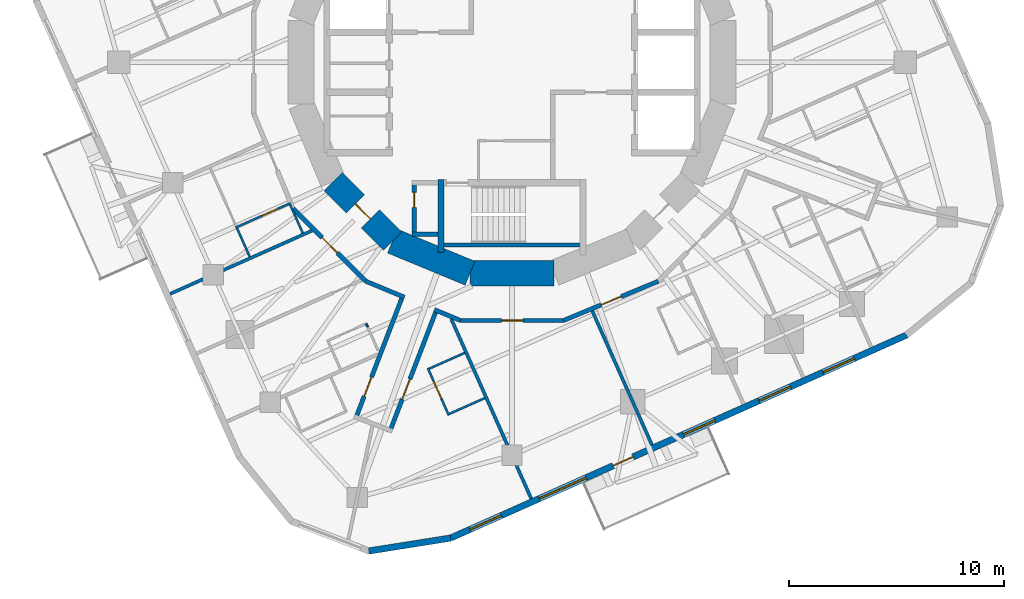
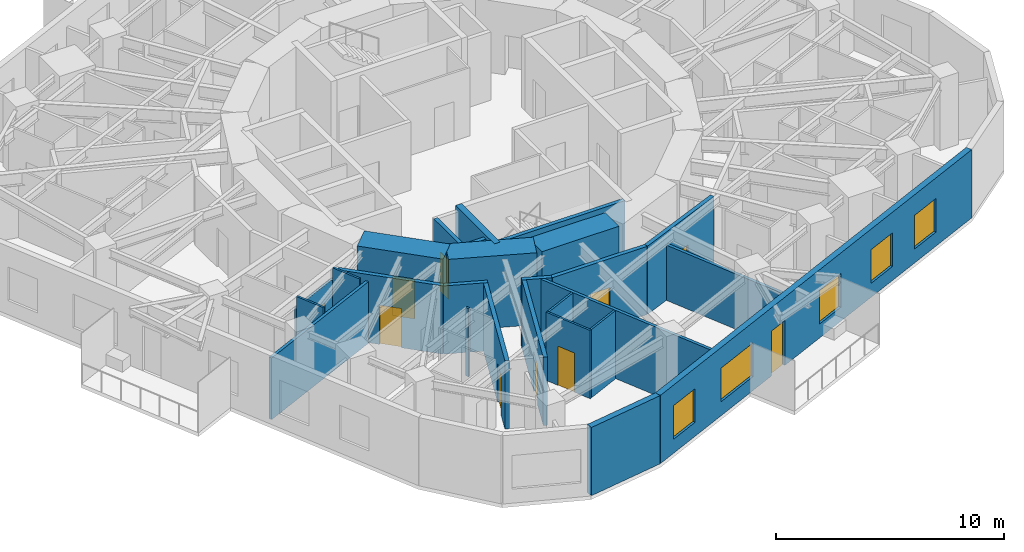
# One storey, part 5 of 12: 26 walls, 10 doors, 5 windows, 15 openings.
"""IFC4 building model written with IfcOpenShell, lengths in metres."""

import ifcopenshell
import ifcopenshell.guid

model = None  # the IFC model being written
_history = None  # IfcOwnerHistory: only IFC2X3 demands one
_inside = {}  # id of a spatial element -> (the spatial element, [elements in it])
_under = {}  # id of a project, library or spatial element -> (it, [spatial elements below it])
_declared = {}  # id of a project -> (the project, [libraries it declares])
_typed = {}  # id of a type object -> (the type object, [elements of that type])
_made_of = {}  # id of a material, layer set ... -> (it, [elements and type objects made of it])


def new_model(schema):
    """Start an empty IFC model of exactly this schema.

    Asked for "IFC4X3", IfcOpenShell would pick the latest addendum, in which some entities
    have other attributes; the version numbers below select the first issue.
    IFC2X3 requires an IfcOwnerHistory on every rooted entity: one is made here for all.
    """
    global model, _history
    if schema == "IFC4X3":
        model = ifcopenshell.file(schema_version=(4, 3, 0, 0))
    else:
        model = ifcopenshell.file(schema=schema)
    _inside.clear()
    _under.clear()
    _declared.clear()
    _typed.clear()
    _made_of.clear()
    _history = None
    if model.schema == "IFC2X3":
        org = make("IfcOrganization", Name="unknown")
        user = make(
            "IfcPersonAndOrganization",
            ThePerson=make("IfcPerson", FamilyName="unknown"),
            TheOrganization=org,
        )
        app = make(
            "IfcApplication",
            ApplicationDeveloper=org,
            Version="unknown",
            ApplicationFullName="unknown",
            ApplicationIdentifier="unknown",
        )
        _history = make(
            "IfcOwnerHistory",
            OwningUser=user,
            OwningApplication=app,
            ChangeAction="ADDED",
            CreationDate=0,
        )
    return model


def make(cls, **values):
    """One entity of the class cls with the attributes given. An attribute that is None is left unset."""
    return model.create_entity(
        cls, **{name: value for name, value in values.items() if value is not None}
    )


def rooted(cls, **values):
    """An entity with a GlobalId (a new one), such as an element, a storey or a relation."""
    return make(cls, GlobalId=ifcopenshell.guid.new(), OwnerHistory=_history, **values)


def si_unit(unit_type, name, prefix=None):
    """IfcSIUnit, for example si_unit("LENGTHUNIT", "METRE", prefix="MILLI")."""
    return make("IfcSIUnit", UnitType=unit_type, Prefix=prefix, Name=name)


def assignment(units):
    """IfcUnitAssignment: the units of a project."""
    return None if units is None else make("IfcUnitAssignment", Units=units)


def point(xyz):
    """IfcCartesianPoint."""
    return None if xyz is None else make("IfcCartesianPoint", Coordinates=xyz)


def direction(xyz):
    """IfcDirection."""
    return None if xyz is None else make("IfcDirection", DirectionRatios=xyz)


def frame(location, z_axis=None, x_axis=None):
    """IfcAxis2Placement3D, a coordinate frame: its origin and axes. An axis left out is left unset."""
    return make(
        "IfcAxis2Placement3D",
        Location=point(location),
        Axis=direction(z_axis),
        RefDirection=direction(x_axis),
    )


def frame_2d(location, x_axis=None):
    """IfcAxis2Placement2D, a coordinate frame in the plane: its origin and x axis."""
    return make(
        "IfcAxis2Placement2D", Location=point(location), RefDirection=direction(x_axis)
    )


def origin():
    """The frame at (0, 0, 0) with its axes left unset."""
    return frame((0.0, 0.0, 0.0))


def place(relative_to, where):
    """IfcLocalPlacement: puts the frame where relative to a parent placement (None: the world)."""
    return make(
        "IfcLocalPlacement", PlacementRelTo=relative_to, RelativePlacement=where
    )


def context(
    kind, dimensions, precision=None, world=None, true_north=None, identifier=None
):
    """IfcGeometricRepresentationContext, for example the 3D "Model" context."""
    return make(
        "IfcGeometricRepresentationContext",
        ContextIdentifier=identifier,
        ContextType=kind,
        CoordinateSpaceDimension=dimensions,
        Precision=precision,
        WorldCoordinateSystem=world,
        TrueNorth=true_north,
    )


def subcontext(parent, identifier, kind, view, scale=None):
    """IfcGeometricRepresentationSubContext, for example "Body" below "Model"."""
    return make(
        "IfcGeometricRepresentationSubContext",
        ContextIdentifier=identifier,
        ContextType=kind,
        ParentContext=parent,
        TargetScale=scale,
        TargetView=view,
    )


def project(units=None, contexts=None):
    """IfcProject with its units and contexts."""
    return rooted(
        "IfcProject",
        Name="project",
        RepresentationContexts=contexts,
        UnitsInContext=assignment(units),
    )


def spatial(cls, under=None, at=None, **own):
    """A site, building, storey or space (cls), placed at a placement, below another one or the project."""
    s = rooted(cls, ObjectPlacement=at, **own)
    if under is not None:
        _under.setdefault(under.id(), (under, []))[1].append(s)
    return s


def profile(cls, at=None, kind="AREA", **sizes):
    """A parametric profile (cls). Its sizes go by their IFC names, for example OverallWidth=200.0."""
    return make(cls, ProfileType=kind, Position=at, **sizes)


def rectangle(**sizes):
    """IfcRectangleProfileDef."""
    return profile("IfcRectangleProfileDef", **sizes)


def extrude(swept, where, along, depth):
    """IfcExtrudedAreaSolid: the profile swept, set in the frame where, extruded along a direction by depth."""
    return make(
        "IfcExtrudedAreaSolid",
        SweptArea=swept,
        Position=where,
        ExtrudedDirection=direction(along),
        Depth=depth,
    )


def shape(context_of_items, identifier, shape_type, items):
    """IfcShapeRepresentation: the items that make up one representation, for example the "Body"."""
    return make(
        "IfcShapeRepresentation",
        ContextOfItems=context_of_items,
        RepresentationIdentifier=identifier,
        RepresentationType=shape_type,
        Items=items,
    )


def material(Name=None, Category=None):
    """IfcMaterial."""
    return make("IfcMaterial", Name=Name, Category=Category)


def layer(
    of_material, thickness, ventilated=None, Name=None, Category=None, Priority=None
):
    """IfcMaterialLayer: one layer of a wall or slab, of a material (None: an air gap)."""
    return make(
        "IfcMaterialLayer",
        Material=of_material,
        LayerThickness=thickness,
        IsVentilated=ventilated,
        Name=Name,
        Category=Category,
        Priority=Priority,
    )


def layer_set(layers, Name=None):
    """IfcMaterialLayerSet."""
    return make("IfcMaterialLayerSet", MaterialLayers=layers, LayerSetName=Name)


def made_of(thing, what):
    """Note that an element or type object is made of a material, layer set ...; save() writes the relation."""
    if what is not None:
        _made_of.setdefault(what.id(), (what, []))[1].append(thing)
    return thing


def type_object(cls, material=None, **own):
    """A type object (cls), such as IfcWallType, which elements share."""
    return made_of(rooted(cls, **own), material)


def element(
    cls,
    number,
    at=None,
    inside=None,
    cuts=None,
    type_object=None,
    material=None,
    context=None,
    identifier="Body",
    shape_type=None,
    held_by="IfcProductDefinitionShape",
    body=None,
    shapes=None,
    **own,
):
    """One element of the class cls, such as IfcWall. Its Tag is "e" and its number.

    at: its placement. inside: the storey or other place that contains it. cuts: it is an
    opening in that element (IfcRelVoidsElement). A single representation is given by context,
    identifier, shape_type and body (its items); several are given by shapes. held_by: the class
    of the entity that holds the representations. save() writes the other relations.
    """
    e = rooted(cls, Tag="e%d" % number, ObjectPlacement=at, **own)
    if body is not None:
        shapes = [shape(context, identifier, shape_type, body)]
    if shapes is not None:
        e.Representation = make(held_by, Representations=shapes)
    if inside is not None:
        _inside.setdefault(inside.id(), (inside, []))[1].append(e)
    if cuts is not None:
        rooted(
            "IfcRelVoidsElement", RelatingBuildingElement=cuts, RelatedOpeningElement=e
        )
    if type_object is not None:
        _typed.setdefault(type_object.id(), (type_object, []))[1].append(e)
    return made_of(e, material)


def fill(opening, filler):
    """IfcRelFillsElement: the door or window that sits in an opening."""
    return rooted(
        "IfcRelFillsElement",
        RelatingOpeningElement=opening,
        RelatedBuildingElement=filler,
    )


def aggregate(whole, parts):
    """IfcRelAggregates: a whole, such as a stair, and the parts it consists of."""
    return rooted("IfcRelAggregates", RelatingObject=whole, RelatedObjects=parts)


def save(model, path):
    """Write the relations noted so far, then the file.

    IfcRelAggregates (storeys below a building ...), IfcRelContainedInSpatialStructure (elements
    in a storey), IfcRelDefinesByType, IfcRelAssociatesMaterial and IfcRelDeclares: one each for
    every whole, place, type object, material and project.
    """
    for whole, parts in _under.values():
        aggregate(whole, parts)
    for where, things in _inside.values():
        rooted(
            "IfcRelContainedInSpatialStructure",
            RelatedElements=things,
            RelatingStructure=where,
        )
    for kind, things in _typed.values():
        rooted("IfcRelDefinesByType", RelatedObjects=things, RelatingType=kind)
    for what, things in _made_of.values():
        rooted("IfcRelAssociatesMaterial", RelatedObjects=things, RelatingMaterial=what)
    for by, libraries in _declared.values():
        rooted("IfcRelDeclares", RelatingContext=by, RelatedDefinitions=libraries)
    model.write(path)


model = new_model("IFC4")

# Units and contexts
model_context = context("Model", 3, precision=1e-05, world=origin(), true_north=direction((0.0, 1.0)))
body_context = subcontext(model_context, "Body", "Model", "MODEL_VIEW")
ifc_project = project(units=[si_unit("LENGTHUNIT", "METRE"), si_unit("AREAUNIT", "SQUARE_METRE"), si_unit("VOLUMEUNIT", "CUBIC_METRE"), si_unit("PLANEANGLEUNIT", "RADIAN"), si_unit("MASSUNIT", "GRAM", prefix="KILO")], contexts=[model_context])

# Site, building, storey
site_placement = place(None, origin())
site = spatial("IfcSite", under=ifc_project, at=site_placement, CompositionType="ELEMENT")
building_placement = place(site_placement, origin())
building = spatial("IfcBuilding", under=site, at=building_placement, Name="Nakasero Lantern House", CompositionType="ELEMENT")
storey_placement = place(building_placement, frame((0.0, 0.0, 194.0)))
storey = spatial("IfcBuildingStorey", under=building, at=storey_placement, Name="L47", CompositionType="ELEMENT", Elevation=194.0)

# Wall
ifc_material_1 = material(Name="Concrete C50/60", Category="concrete")
ifc_layer_1 = layer(ifc_material_1, 0.300048828125)
ifc_layer_set_1 = layer_set([ifc_layer_1], Name="Core inner wall 300")
wall_type_1 = type_object("IfcWallType", Name="Core inner wall 300", PredefinedType="SHEAR", material=ifc_layer_set_1)
wall_1_placement = place(storey_placement, frame((-3.300048828125, -5.449951171875, 0.0), z_axis=(0.0, 0.0, 1.0), x_axis=(0.0, -1.0, 0.0)))
element("IfcWall", 1, at=wall_1_placement, inside=storey, type_object=wall_type_1, Name="Core inner wall L47 SSW", PredefinedType="SHEAR", context=body_context, shape_type="SweptSolid", body=[
    extrude(rectangle(XDim=3.400146484375, YDim=0.300048828125, at=frame_2d((1.7001953125, 0.0))), origin(), (0.0, 0.0, 1.0), 3.85009765625),
])

# Wall, opening, door
ifc_material_2 = material(Name="Concrete C50/60", Category="concrete")
ifc_layer_2 = layer(ifc_material_2, 1.199951171875)
ifc_layer_set_2 = layer_set([ifc_layer_2], Name="Core wall 1200")
wall_type_2 = type_object("IfcWallType", Name="Core wall 1200", PredefinedType="SHEAR", material=ifc_layer_set_2)
wall_2_placement = place(storey_placement, frame((-8.314697265625, -5.5556640625, 0.0), z_axis=(0.0, 0.0, 1.0), x_axis=(0.707106781187, -0.707106781187, 0.0)))
wall_2 = element("IfcWall", 2, at=wall_2_placement, inside=storey, type_object=wall_type_2, Name="Core wall L47 facet 10", PredefinedType="SHEAR", context=body_context, shape_type="SweptSolid", body=[
    extrude(rectangle(XDim=3.90185546875, YDim=1.199951171875, at=frame_2d((1.950927734375, 0.0))), origin(), (0.0, 0.0, 1.0), 3.85009765625),
])
opening_1_placement = place(wall_2_placement, frame((1.450927734375, 0.0, 0.0)))
opening_1 = element("IfcOpeningElement", 3, at=opening_1_placement, cuts=wall_2, Name="Opening D05", PredefinedType="OPENING", context=body_context, shape_type="SweptSolid", body=[
    extrude(rectangle(XDim=1.0, YDim=2.10009765625, at=frame_2d((0.5, 1.050048828125))), frame((0.0, 0.619873046875, 0.0), z_axis=(0.0, -1.0, 0.0), x_axis=(1.0, 0.0, 0.0)), (0.0, 0.0, 1.0), 1.239990234375),
])
ifc_material_3 = material(Name="Timber C24", Category="wood")
door_type_1 = type_object("IfcDoorType", Name="Core door FD60S 1000", OperationType="SINGLE_SWING_LEFT", PredefinedType="DOOR", material=ifc_material_3)
door_1_placement = place(opening_1_placement, origin())
door_1 = element("IfcDoor", 4, at=door_1_placement, inside=storey, type_object=door_type_1, Name="Door L47 D-CORE10", OperationType="SINGLE_SWING_LEFT", OverallHeight=2.10009765625, OverallWidth=1.0, PredefinedType="DOOR", context=body_context, shape_type="SweptSolid", body=[
    extrude(rectangle(XDim=1.0, YDim=2.10009765625, at=frame_2d((0.5, 1.050048828125))), frame((0.0, 0.02490234375, 0.0), z_axis=(0.0, -1.0, 0.0), x_axis=(1.0, 0.0, 0.0)), (0.0, 0.0, 1.0), 0.050048828125),
])
fill(opening_1, door_1)

# Walls
for number, where, z_axis, x_axis, name in (
    (5, (-5.5556640625, -8.314697265625, 0.0), (0.0, 0.0, 1.0), (0.923876507187, -0.382690736062, 0.0), "Core wall L47 facet 11"),
    (6, (-1.950927734375, -9.807861328125, 0.0), (0.0, 0.0, 1.0), (1.0, 0.0, 0.0), "Core wall L47 facet 12"),
):
    element("IfcWall", number, at=place(storey_placement, frame(where, z_axis=z_axis, x_axis=x_axis)), inside=storey, type_object=wall_type_2, Name=name, PredefinedType="SHEAR", context=body_context, shape_type="SweptSolid", body=[
        extrude(rectangle(XDim=3.90185546875, YDim=1.199951171875, at=frame_2d((1.950927734375, 0.0))), origin(), (0.0, 0.0, 1.0), 3.85009765625),
    ])

# Wall, opening, door
ifc_material_4 = material(Name="Blockwork", Category="masonry")
ifc_layer_3 = layer(ifc_material_4, 0.199951171875)
ifc_layer_set_3 = layer_set([ifc_layer_3], Name="Corridor wall 200")
wall_type_3 = type_object("IfcWallType", Name="Corridor wall 200", PredefinedType="PARTITIONING", material=ifc_layer_set_3)
wall_3_placement = place(storey_placement, frame((6.802001953125, -10.1796875, 0.0), z_axis=(0.0, 0.0, 1.0), x_axis=(-0.923882292998, -0.382676767893, 0.0)))
wall_3 = element("IfcWall", 7, at=wall_3_placement, inside=storey, type_object=wall_type_3, Name="Corridor wall L47 RC03a", PredefinedType="PARTITIONING", context=body_context, shape_type="SweptSolid", body=[
    extrude(rectangle(XDim=4.777099609375, YDim=0.199951171875, at=frame_2d((2.388671875, 0.0))), origin(), (0.0, 0.0, 1.0), 3.64990234375),
])
opening_2_placement = place(wall_3_placement, frame((1.8701171875, 0.0, 0.0)))
opening_2 = element("IfcOpeningElement", 8, at=opening_2_placement, cuts=wall_3, Name="Opening D07", PredefinedType="OPENING", context=body_context, shape_type="SweptSolid", body=[
    extrude(rectangle(XDim=1.0, YDim=2.10009765625, at=frame_2d((0.5, 1.050048828125))), frame((0.0, 0.119873046875, 0.0), z_axis=(0.0, -1.0, 0.0), x_axis=(1.0, 0.0, 0.0)), (0.0, 0.0, 1.0), 0.239990234375),
])
ifc_material_5 = material(Name="Timber C24", Category="wood")
door_type_2 = type_object("IfcDoorType", Name="Room door FD30S 1000", OperationType="SINGLE_SWING_LEFT", PredefinedType="DOOR", material=ifc_material_5)
door_2_placement = place(opening_2_placement, origin())
door_2 = element("IfcDoor", 9, at=door_2_placement, inside=storey, type_object=door_type_2, Name="Door L47 D3-03", OperationType="SINGLE_SWING_LEFT", OverallHeight=2.10009765625, OverallWidth=1.0, PredefinedType="DOOR", context=body_context, shape_type="SweptSolid", body=[
    extrude(rectangle(XDim=1.0, YDim=2.10009765625, at=frame_2d((0.5, 1.050048828125))), frame((0.0, 0.02490234375, 0.0), z_axis=(0.0, -1.0, 0.0), x_axis=(1.0, 0.0, 0.0)), (0.0, 0.0, 1.0), 0.050048828125),
])
fill(opening_2, door_2)

wall_4_placement = place(storey_placement, frame((2.388427734375, -12.0078125, 0.0), z_axis=(0.0, 0.0, 1.0), x_axis=(-1.0, 0.0, 0.0)))
wall_4 = element("IfcWall", 10, at=wall_4_placement, inside=storey, type_object=wall_type_3, Name="Corridor wall L47 RC04a", PredefinedType="PARTITIONING", context=body_context, shape_type="SweptSolid", body=[
    extrude(rectangle(XDim=4.77685546875, YDim=0.199951171875, at=frame_2d((2.388427734375, 0.0))), origin(), (0.0, 0.0, 1.0), 3.64990234375),
])
opening_3_placement = place(wall_4_placement, frame((1.8701171875, 0.0, 0.0)))
opening_3 = element("IfcOpeningElement", 11, at=opening_3_placement, cuts=wall_4, Name="Opening D03", PredefinedType="OPENING", context=body_context, shape_type="SweptSolid", body=[
    extrude(rectangle(XDim=1.0, YDim=2.10009765625, at=frame_2d((0.5, 1.050048828125))), frame((0.0, 0.119873046875, 0.0), z_axis=(0.0, -1.0, 0.0), x_axis=(1.0, 0.0, 0.0)), (0.0, 0.0, 1.0), 0.239990234375),
])
ifc_material_6 = material(Name="Timber C24", Category="wood")
door_type_3 = type_object("IfcDoorType", Name="Lounge door FD30S 1000", OperationType="SINGLE_SWING_LEFT", PredefinedType="DOOR", material=ifc_material_6)
door_3_placement = place(opening_3_placement, origin())
door_3 = element("IfcDoor", 12, at=door_3_placement, inside=storey, type_object=door_type_3, Name="Door L47 DK3", OperationType="SINGLE_SWING_LEFT", OverallHeight=2.10009765625, OverallWidth=1.0, PredefinedType="DOOR", context=body_context, shape_type="SweptSolid", body=[
    extrude(rectangle(XDim=1.0, YDim=2.10009765625, at=frame_2d((0.5, 1.050048828125))), frame((0.0, 0.02490234375, 0.0), z_axis=(0.0, -1.0, 0.0), x_axis=(1.0, 0.0, 0.0)), (0.0, 0.0, 1.0), 0.050048828125),
])
fill(opening_3, door_3)

# Walls
wall_5_placement = place(storey_placement, frame((-2.388427734375, -12.0078125, 0.0), z_axis=(0.0, 0.0, 1.0), x_axis=(-0.923893220228, 0.382650385623, 0.0)))
element("IfcWall", 13, at=wall_5_placement, inside=storey, type_object=wall_type_3, Name="Corridor wall L47 RC05a", PredefinedType="PARTITIONING", context=body_context, shape_type="SweptSolid", body=[
    extrude(rectangle(XDim=1.323974609375, YDim=0.199951171875, at=frame_2d((0.662109375, 0.0))), origin(), (0.0, 0.0, 1.0), 3.64990234375),
])
wall_6_placement = place(storey_placement, frame((-4.997802734375, -10.927001953125, 0.0), z_axis=(0.0, 0.0, 1.0), x_axis=(-0.923881222106, 0.382679353297, 0.0)))
element("IfcWall", 14, at=wall_6_placement, inside=storey, type_object=wall_type_3, Name="Corridor wall L47 RC05b", PredefinedType="PARTITIONING", context=body_context, shape_type="SweptSolid", body=[
    extrude(rectangle(XDim=1.952880859375, YDim=0.199951171875, at=frame_2d((0.9765625, 0.0))), origin(), (0.0, 0.0, 1.0), 3.64990234375),
])

# Wall, opening, door
wall_7_placement = place(storey_placement, frame((-6.802001953125, -10.1796875, 0.0), z_axis=(0.0, 0.0, 1.0), x_axis=(-0.707106781187, 0.707106781187, 0.0)))
wall_7 = element("IfcWall", 15, at=wall_7_placement, inside=storey, type_object=wall_type_3, Name="Corridor wall L47 RC06a", PredefinedType="PARTITIONING", context=body_context, shape_type="SweptSolid", body=[
    extrude(rectangle(XDim=4.77685546875, YDim=0.199951171875, at=frame_2d((2.388427734375, 0.0))), origin(), (0.0, 0.0, 1.0), 3.64990234375),
])
opening_4_placement = place(wall_7_placement, frame((1.8701171875, 0.0, 0.0)))
opening_4 = element("IfcOpeningElement", 16, at=opening_4_placement, cuts=wall_7, Name="Opening D14", PredefinedType="OPENING", context=body_context, shape_type="SweptSolid", body=[
    extrude(rectangle(XDim=1.0, YDim=2.10009765625, at=frame_2d((0.5, 1.050048828125))), frame((0.0, 0.119873046875, 0.0), z_axis=(0.0, -1.0, 0.0), x_axis=(1.0, 0.0, 0.0)), (0.0, 0.0, 1.0), 0.239990234375),
])
ifc_material_7 = material(Name="Timber C24", Category="wood")
door_type_4 = type_object("IfcDoorType", Name="Cluster entrance door FD30S 1000", OperationType="SINGLE_SWING_LEFT", PredefinedType="DOOR", material=ifc_material_7)
door_4_placement = place(opening_4_placement, origin())
door_4 = element("IfcDoor", 17, at=door_4_placement, inside=storey, type_object=door_type_4, Name="Door L47 D2-04", OperationType="SINGLE_SWING_LEFT", OverallHeight=2.10009765625, OverallWidth=1.0, PredefinedType="DOOR", context=body_context, shape_type="SweptSolid", body=[
    extrude(rectangle(XDim=1.0, YDim=2.10009765625, at=frame_2d((0.5, 1.050048828125))), frame((0.0, 0.02490234375, 0.0), z_axis=(0.0, -1.0, 0.0), x_axis=(1.0, 0.0, 0.0)), (0.0, 0.0, 1.0), 0.050048828125),
])
fill(opening_4, door_4)

wall_8_placement = place(storey_placement, frame((-5.09033203125, -10.888671875, 0.0), z_axis=(0.0, 0.0, 1.0), x_axis=(-0.35835059057, -0.933587089798, 0.0)))
wall_8 = element("IfcWall", 18, at=wall_8_placement, inside=storey, type_object=wall_type_3, Name="Corridor wall L47 SP2a", PredefinedType="PARTITIONING", context=body_context, shape_type="SweptSolid", body=[
    extrude(rectangle(XDim=6.117919921875, YDim=0.199951171875, at=frame_2d((3.05908203125, 0.0))), origin(), (0.0, 0.0, 1.0), 3.64990234375),
])
opening_5_placement = place(wall_8_placement, frame((4.02001953125, 0.0, 0.0)))
opening_5 = element("IfcOpeningElement", 19, at=opening_5_placement, cuts=wall_8, Name="Opening D01", PredefinedType="OPENING", context=body_context, shape_type="SweptSolid", body=[
    extrude(rectangle(XDim=0.949951171875, YDim=2.10009765625, at=frame_2d((0.47509765625, 1.050048828125))), frame((0.0, 0.119873046875, 0.0), z_axis=(0.0, -1.0, 0.0), x_axis=(1.0, 0.0, 0.0)), (0.0, 0.0, 1.0), 0.239990234375),
])
ifc_material_8 = material(Name="Timber C24", Category="wood")
door_type_5 = type_object("IfcDoorType", Name="Bedroom door FD30S 950", OperationType="SINGLE_SWING_LEFT", PredefinedType="DOOR", material=ifc_material_8)
door_5_placement = place(opening_5_placement, origin())
door_5 = element("IfcDoor", 20, at=door_5_placement, inside=storey, type_object=door_type_5, Name="Door L47 D2-06", OperationType="SINGLE_SWING_RIGHT", OverallHeight=2.10009765625, OverallWidth=0.949951171875, PredefinedType="DOOR", context=body_context, shape_type="SweptSolid", body=[
    extrude(rectangle(XDim=0.949951171875, YDim=2.10009765625, at=frame_2d((0.47509765625, 1.050048828125))), frame((0.0, 0.02490234375, 0.0), z_axis=(0.0, -1.0, 0.0), x_axis=(1.0, 0.0, 0.0)), (0.0, 0.0, 1.0), 0.050048828125),
])
fill(opening_5, door_5)

wall_9_placement = place(storey_placement, frame((-3.51904296875, -11.53955078125, 0.0), z_axis=(0.0, 0.0, 1.0), x_axis=(-0.358394497993, -0.93357023507, 0.0)))
wall_9 = element("IfcWall", 21, at=wall_9_placement, inside=storey, type_object=wall_type_3, Name="Corridor wall L47 SP2b", PredefinedType="PARTITIONING", context=body_context, shape_type="SweptSolid", body=[
    extrude(rectangle(XDim=6.07373046875, YDim=0.199951171875, at=frame_2d((3.036865234375, 0.0))), origin(), (0.0, 0.0, 1.0), 3.64990234375),
])
opening_6_placement = place(wall_9_placement, frame((3.419921875, 0.0, 0.0)))
opening_6 = element("IfcOpeningElement", 22, at=opening_6_placement, cuts=wall_9, Name="Opening D07", PredefinedType="OPENING", context=body_context, shape_type="SweptSolid", body=[
    extrude(rectangle(XDim=1.0, YDim=2.10009765625, at=frame_2d((0.5, 1.050048828125))), frame((0.0, 0.119873046875, 0.0), z_axis=(0.0, -1.0, 0.0), x_axis=(1.0, 0.0, 0.0)), (0.0, 0.0, 1.0), 0.239990234375),
])
door_6_placement = place(opening_6_placement, origin())
door_6 = element("IfcDoor", 23, at=door_6_placement, inside=storey, type_object=door_type_2, Name="Door L47 D3-00", OperationType="SINGLE_SWING_RIGHT", OverallHeight=2.10009765625, OverallWidth=1.0, PredefinedType="DOOR", context=body_context, shape_type="SweptSolid", body=[
    extrude(rectangle(XDim=1.0, YDim=2.10009765625, at=frame_2d((0.5, 1.050048828125))), frame((0.0, 0.02490234375, 0.0), z_axis=(0.0, -1.0, 0.0), x_axis=(1.0, 0.0, 0.0)), (0.0, 0.0, 1.0), 0.050048828125),
])
fill(opening_6, door_6)

ifc_material_9 = material(Name="Blockwork", Category="masonry")
ifc_layer_4 = layer(ifc_material_9, 0.10009765625)
ifc_layer_set_4 = layer_set([ifc_layer_4], Name="En-suite wall 100")
wall_type_4 = type_object("IfcWallType", Name="En-suite wall 100", PredefinedType="PARTITIONING", material=ifc_layer_set_4)
wall_10_placement = place(storey_placement, frame((-10.29248046875, -6.550048828125, 0.0), z_axis=(0.0, 0.0, 1.0), x_axis=(-0.913534471978, -0.406761316386, 0.0)))
wall_10 = element("IfcWall", 24, at=wall_10_placement, inside=storey, type_object=wall_type_4, Name="En-suite wall L47 ES2-03", PredefinedType="PARTITIONING", context=body_context, shape_type="SweptSolid", body=[
    extrude(rectangle(XDim=2.800048828125, YDim=0.10009765625, at=frame_2d((1.39990234375, 0.0))), origin(), (0.0, 0.0, 1.0), 3.037841796875),
])
opening_7_placement = place(wall_10_placement, frame((0.64990234375, 0.0, 0.0)))
opening_7 = element("IfcOpeningElement", 25, at=opening_7_placement, cuts=wall_10, Name="Opening D02", PredefinedType="OPENING", context=body_context, shape_type="SweptSolid", body=[
    extrude(rectangle(XDim=0.800048828125, YDim=2.10009765625, at=frame_2d((0.39990234375, 1.050048828125))), frame((0.0, 0.070068359375, 0.0), z_axis=(0.0, -1.0, 0.0), x_axis=(1.0, 0.0, 0.0)), (0.0, 0.0, 1.0), 0.14013671875),
])
ifc_material_10 = material(Name="Timber C24", Category="wood")
door_type_6 = type_object("IfcDoorType", Name="En-suite door 800", OperationType="SINGLE_SWING_RIGHT", PredefinedType="DOOR", material=ifc_material_10)
door_7_placement = place(opening_7_placement, origin())
door_7 = element("IfcDoor", 26, at=door_7_placement, inside=storey, type_object=door_type_6, Name="Door L47 DE2-03", OperationType="SINGLE_SWING_LEFT", OverallHeight=2.10009765625, OverallWidth=0.800048828125, PredefinedType="DOOR", context=body_context, shape_type="SweptSolid", body=[
    extrude(rectangle(XDim=0.800048828125, YDim=2.10009765625, at=frame_2d((0.39990234375, 1.050048828125))), frame((0.0, 0.02490234375, 0.0), z_axis=(0.0, -1.0, 0.0), x_axis=(1.0, 0.0, 0.0)), (0.0, 0.0, 1.0), 0.050048828125),
])
fill(opening_7, door_7)

# Walls
wall_11_placement = place(storey_placement, frame((-12.784423828125, -7.71435546875, 0.0), z_axis=(0.0, 0.0, 1.0), x_axis=(0.40682579145, -0.913505761017, 0.0)))
element("IfcWall", 27, at=wall_11_placement, inside=storey, type_object=wall_type_4, Name="En-suite wall L47 EE2-03", PredefinedType="PARTITIONING", context=body_context, shape_type="SweptSolid", body=[
    extrude(rectangle(XDim=1.449951171875, YDim=0.10009765625, at=frame_2d((0.72509765625, 0.0))), origin(), (0.0, 0.0, 1.0), 3.64990234375),
])
wall_12_placement = place(storey_placement, frame((-10.31787109375, -6.615966796875, 0.0), z_axis=(0.0, 0.0, 1.0), x_axis=(0.406763220732, -0.913533624044, 0.0)))
element("IfcWall", 28, at=wall_12_placement, inside=storey, type_object=wall_type_4, Name="En-suite wall L47 EI2-03", PredefinedType="PARTITIONING", context=body_context, shape_type="SweptSolid", body=[
    extrude(rectangle(XDim=1.4501953125, YDim=0.10009765625, at=frame_2d((0.72509765625, 0.0))), origin(), (0.0, 0.0, 1.0), 3.64990234375),
])

# Wall, opening, door
wall_13_placement = place(storey_placement, frame((-3.914306640625, -14.2216796875, 0.0), z_axis=(0.0, 0.0, 1.0), x_axis=(0.406723602621, -0.913551263516, 0.0)))
wall_13 = element("IfcWall", 29, at=wall_13_placement, inside=storey, type_object=wall_type_4, Name="En-suite wall L47 ES3-00", PredefinedType="PARTITIONING", context=body_context, shape_type="SweptSolid", body=[
    extrude(rectangle(XDim=2.39990234375, YDim=0.10009765625, at=frame_2d((1.199951171875, 0.0))), origin(), (0.0, 0.0, 1.0), 3.64990234375),
])
opening_8_placement = place(wall_13_placement, frame((0.64990234375, 0.0, 0.0)))
opening_8 = element("IfcOpeningElement", 30, at=opening_8_placement, cuts=wall_13, Name="Opening D16", PredefinedType="OPENING", context=body_context, shape_type="SweptSolid", body=[
    extrude(rectangle(XDim=0.89990234375, YDim=2.10009765625, at=frame_2d((0.449951171875, 1.050048828125))), frame((0.0, 0.070068359375, 0.0), z_axis=(0.0, -1.0, 0.0), x_axis=(1.0, 0.0, 0.0)), (0.0, 0.0, 1.0), 0.14013671875),
])
ifc_material_11 = material(Name="Timber C24", Category="wood")
door_type_7 = type_object("IfcDoorType", Name="Accessible WC door 900", OperationType="SINGLE_SWING_RIGHT", PredefinedType="DOOR", material=ifc_material_11)
door_8_placement = place(opening_8_placement, origin())
door_8 = element("IfcDoor", 31, at=door_8_placement, inside=storey, type_object=door_type_7, Name="Door L47 DE3-00", OperationType="SINGLE_SWING_LEFT", OverallHeight=2.10009765625, OverallWidth=0.89990234375, PredefinedType="DOOR", context=body_context, shape_type="SweptSolid", body=[
    extrude(rectangle(XDim=0.89990234375, YDim=2.10009765625, at=frame_2d((0.449951171875, 1.050048828125))), frame((0.0, 0.02490234375, 0.0), z_axis=(0.0, -1.0, 0.0), x_axis=(1.0, 0.0, 0.0)), (0.0, 0.0, 1.0), 0.050048828125),
])
fill(opening_8, door_8)

# Walls
wall_14_placement = place(storey_placement, frame((-2.912841796875, -16.34814453125, 0.0), z_axis=(0.0, 0.0, 1.0), x_axis=(0.913548502595, 0.406729803932, 0.0)))
element("IfcWall", 32, at=wall_14_placement, inside=storey, type_object=wall_type_4, Name="En-suite wall L47 EE3-00", PredefinedType="PARTITIONING", context=body_context, shape_type="SweptSolid", body=[
    extrude(rectangle(XDim=1.800048828125, YDim=0.10009765625, at=frame_2d((0.89990234375, 0.0))), origin(), (0.0, 0.0, 1.0), 3.64990234375),
])
wall_15_placement = place(storey_placement, frame((-3.84814453125, -14.246826171875, 0.0), z_axis=(0.0, 0.0, 1.0), x_axis=(0.913576462288, 0.406666998358, 0.0)))
element("IfcWall", 33, at=wall_15_placement, inside=storey, type_object=wall_type_4, Name="En-suite wall L47 EI3-00", PredefinedType="PARTITIONING", context=body_context, shape_type="SweptSolid", body=[
    extrude(rectangle(XDim=1.7998046875, YDim=0.10009765625, at=frame_2d((0.89990234375, 0.0))), origin(), (0.0, 0.0, 1.0), 3.64990234375),
])
wall_16_placement = place(storey_placement, frame((-6.78125, -12.153564453125, 0.0), z_axis=(0.0, 0.0, 1.0), x_axis=(0.407696311466, -0.913117581485, 0.0)))
element("IfcWall", 34, at=wall_16_placement, inside=storey, type_object=wall_type_4, Name="En-suite wall L47 ES2-05R0", PredefinedType="PARTITIONING", context=body_context, shape_type="SweptSolid", body=[
    extrude(rectangle(XDim=0.159912109375, YDim=0.10009765625, at=frame_2d((0.080078125, 0.0))), origin(), (0.0, 0.0, 1.0), 3.64990234375),
])
ifc_material_12 = material(Name="Aluminium rainscreen on blockwork", Category="masonry")
ifc_layer_5 = layer(ifc_material_12, 0.300048828125)
ifc_layer_set_5 = layer_set([ifc_layer_5], Name="Facade wall 300")
wall_type_5 = type_object("IfcWallType", Name="Facade wall 300", PredefinedType="SOLIDWALL", material=ifc_layer_set_5)
wall_17_placement = place(storey_placement, frame((-6.65771484375, -22.724365234375, 0.0), z_axis=(0.0, 0.0, 1.0), x_axis=(0.987687906802, 0.156437203878, 0.0)))
element("IfcWall", 35, at=wall_17_placement, inside=storey, type_object=wall_type_5, Name="Facade wall L47 FW2C3", PredefinedType="SOLIDWALL", context=body_context, shape_type="SweptSolid", body=[
    extrude(rectangle(XDim=3.856201171875, YDim=0.300048828125, at=frame_2d((1.92822265625, 0.0))), origin(), (0.0, 0.0, 1.0), 3.64990234375),
])

# Wall, openings, door, windows
wall_18_placement = place(storey_placement, frame((-2.848876953125, -22.12109375, 0.0), z_axis=(0.0, 0.0, 1.0), x_axis=(0.913546210851, 0.406734951338, 0.0)))
wall_18 = element("IfcWall", 36, at=wall_18_placement, inside=storey, type_object=wall_type_5, Name="Facade wall L47 FW3S", PredefinedType="SOLIDWALL", context=body_context, shape_type="SweptSolid", body=[
    extrude(rectangle(XDim=23.199951171875, YDim=0.300048828125, at=frame_2d((11.60009765625, 0.0))), origin(), (0.0, 0.0, 1.0), 3.64990234375),
])
opening_9_placement = place(wall_18_placement, frame((0.982421875, 0.0, 0.75)))
opening_9 = element("IfcOpeningElement", 37, at=opening_9_placement, cuts=wall_18, Name="Opening W01", PredefinedType="OPENING", context=body_context, shape_type="SweptSolid", body=[
    extrude(rectangle(XDim=1.60009765625, YDim=1.800048828125, at=frame_2d((0.800048828125, 0.89990234375))), frame((0.0, 0.169921875, 0.0), z_axis=(0.0, -1.0, 0.0), x_axis=(1.0, 0.0, 0.0)), (0.0, 0.0, 1.0), 0.340087890625),
])
opening_10_placement = place(wall_18_placement, frame((11.83984375, 0.0, 0.75)))
opening_10 = element("IfcOpeningElement", 38, at=opening_10_placement, cuts=wall_18, Name="Opening W01", PredefinedType="OPENING", context=body_context, shape_type="SweptSolid", body=[
    extrude(rectangle(XDim=1.60009765625, YDim=1.800048828125, at=frame_2d((0.800048828125, 0.89990234375))), frame((0.0, 0.169921875, 0.0), z_axis=(0.0, -1.0, 0.0), x_axis=(1.0, 0.0, 0.0)), (0.0, 0.0, 1.0), 0.340087890625),
])
opening_11_placement = place(wall_18_placement, frame((15.69140625, 0.0, 0.75)))
opening_11 = element("IfcOpeningElement", 39, at=opening_11_placement, cuts=wall_18, Name="Opening W01", PredefinedType="OPENING", context=body_context, shape_type="SweptSolid", body=[
    extrude(rectangle(XDim=1.60009765625, YDim=1.800048828125, at=frame_2d((0.800048828125, 0.89990234375))), frame((0.0, 0.169921875, 0.0), z_axis=(0.0, -1.0, 0.0), x_axis=(1.0, 0.0, 0.0)), (0.0, 0.0, 1.0), 0.340087890625),
])
opening_12_placement = place(wall_18_placement, frame((18.940185546875, 0.0, 0.75)))
opening_12 = element("IfcOpeningElement", 40, at=opening_12_placement, cuts=wall_18, Name="Opening W01", PredefinedType="OPENING", context=body_context, shape_type="SweptSolid", body=[
    extrude(rectangle(XDim=1.60009765625, YDim=1.800048828125, at=frame_2d((0.800048828125, 0.89990234375))), frame((0.0, 0.169921875, 0.0), z_axis=(0.0, -1.0, 0.0), x_axis=(1.0, 0.0, 0.0)), (0.0, 0.0, 1.0), 0.340087890625),
])
opening_13_placement = place(wall_18_placement, frame((4.500244140625, 0.0, 0.75)))
opening_13 = element("IfcOpeningElement", 41, at=opening_13_placement, cuts=wall_18, Name="Opening W03", PredefinedType="OPENING", context=body_context, shape_type="SweptSolid", body=[
    extrude(rectangle(XDim=2.39990234375, YDim=1.800048828125, at=frame_2d((1.199951171875, 0.89990234375))), frame((0.0, 0.169921875, 0.0), z_axis=(0.0, -1.0, 0.0), x_axis=(1.0, 0.0, 0.0)), (0.0, 0.0, 1.0), 0.340087890625),
])
opening_14_placement = place(wall_18_placement, frame((8.271484375, 0.0, 0.0)))
opening_14 = element("IfcOpeningElement", 42, at=opening_14_placement, cuts=wall_18, Name="Opening D04", PredefinedType="OPENING", context=body_context, shape_type="SweptSolid", body=[
    extrude(rectangle(XDim=1.0, YDim=2.39990234375, at=frame_2d((0.5, 1.199951171875))), frame((0.0, 0.169921875, 0.0), z_axis=(0.0, -1.0, 0.0), x_axis=(1.0, 0.0, 0.0)), (0.0, 0.0, 1.0), 0.340087890625),
])
ifc_material_13 = material(Name="Aluminium 6063-T6 and glass", Category="aluminium")
door_type_8 = type_object("IfcDoorType", Name="Balcony door 1000x2400", OperationType="SINGLE_SWING_RIGHT", PredefinedType="DOOR", material=ifc_material_13)
door_9_placement = place(opening_14_placement, origin())
door_9 = element("IfcDoor", 43, at=door_9_placement, inside=storey, type_object=door_type_8, Name="Balcony door L47 DB3", OperationType="SINGLE_SWING_RIGHT", OverallHeight=2.39990234375, OverallWidth=1.0, PredefinedType="DOOR", context=body_context, shape_type="SweptSolid", body=[
    extrude(rectangle(XDim=1.0, YDim=2.39990234375, at=frame_2d((0.5, 1.199951171875))), frame((0.0, 0.02490234375, 0.0), z_axis=(0.0, -1.0, 0.0), x_axis=(1.0, 0.0, 0.0)), (0.0, 0.0, 1.0), 0.050048828125),
])
fill(opening_14, door_9)
ifc_material_14 = material(Name="Aluminium 6063-T6 and glass", Category="aluminium")
window_type_1 = type_object("IfcWindowType", Name="Bedroom window 1600x1800", PartitioningType="SINGLE_PANEL", PredefinedType="WINDOW", material=ifc_material_14)
window_1_placement = place(opening_9_placement, origin())
window_1 = element("IfcWindow", 44, at=window_1_placement, inside=storey, type_object=window_type_1, Name="Window L47 WN3-00", OverallHeight=1.800048828125, OverallWidth=1.60009765625, PartitioningType="SINGLE_PANEL", PredefinedType="WINDOW", context=body_context, shape_type="SweptSolid", body=[
    extrude(rectangle(XDim=1.60009765625, YDim=1.800048828125, at=frame_2d((0.800048828125, 0.89990234375))), frame((0.0, 0.030029296875, 0.0), z_axis=(0.0, -1.0, 0.0), x_axis=(1.0, 0.0, 0.0)), (0.0, 0.0, 1.0), 0.06005859375),
])
fill(opening_9, window_1)
window_2_placement = place(opening_10_placement, origin())
window_2 = element("IfcWindow", 45, at=window_2_placement, inside=storey, type_object=window_type_1, Name="Window L47 WN3-03", OverallHeight=1.800048828125, OverallWidth=1.60009765625, PartitioningType="SINGLE_PANEL", PredefinedType="WINDOW", context=body_context, shape_type="SweptSolid", body=[
    extrude(rectangle(XDim=1.60009765625, YDim=1.800048828125, at=frame_2d((0.800048828125, 0.89990234375))), frame((0.0, 0.030029296875, 0.0), z_axis=(0.0, -1.0, 0.0), x_axis=(1.0, 0.0, 0.0)), (0.0, 0.0, 1.0), 0.06005859375),
])
fill(opening_10, window_2)
window_3_placement = place(opening_11_placement, origin())
window_3 = element("IfcWindow", 46, at=window_3_placement, inside=storey, type_object=window_type_1, Name="Window L47 WN3-04", OverallHeight=1.800048828125, OverallWidth=1.60009765625, PartitioningType="SINGLE_PANEL", PredefinedType="WINDOW", context=body_context, shape_type="SweptSolid", body=[
    extrude(rectangle(XDim=1.60009765625, YDim=1.800048828125, at=frame_2d((0.800048828125, 0.89990234375))), frame((0.0, 0.030029296875, 0.0), z_axis=(0.0, -1.0, 0.0), x_axis=(1.0, 0.0, 0.0)), (0.0, 0.0, 1.0), 0.06005859375),
])
fill(opening_11, window_3)
window_4_placement = place(opening_12_placement, origin())
window_4 = element("IfcWindow", 47, at=window_4_placement, inside=storey, type_object=window_type_1, Name="Window L47 WN3-05", OverallHeight=1.800048828125, OverallWidth=1.60009765625, PartitioningType="SINGLE_PANEL", PredefinedType="WINDOW", context=body_context, shape_type="SweptSolid", body=[
    extrude(rectangle(XDim=1.60009765625, YDim=1.800048828125, at=frame_2d((0.800048828125, 0.89990234375))), frame((0.0, 0.030029296875, 0.0), z_axis=(0.0, -1.0, 0.0), x_axis=(1.0, 0.0, 0.0)), (0.0, 0.0, 1.0), 0.06005859375),
])
fill(opening_12, window_4)
ifc_material_15 = material(Name="Aluminium 6063-T6 and glass", Category="aluminium")
window_type_2 = type_object("IfcWindowType", Name="Lounge window 2400x1800", PartitioningType="SINGLE_PANEL", PredefinedType="WINDOW", material=ifc_material_15)
window_5_placement = place(opening_13_placement, origin())
window_5 = element("IfcWindow", 48, at=window_5_placement, inside=storey, type_object=window_type_2, Name="Window L47 WK3", OverallHeight=1.800048828125, OverallWidth=2.39990234375, PartitioningType="SINGLE_PANEL", PredefinedType="WINDOW", context=body_context, shape_type="SweptSolid", body=[
    extrude(rectangle(XDim=2.39990234375, YDim=1.800048828125, at=frame_2d((1.199951171875, 0.89990234375))), frame((0.0, 0.030029296875, 0.0), z_axis=(0.0, -1.0, 0.0), x_axis=(1.0, 0.0, 0.0)), (0.0, 0.0, 1.0), 0.06005859375),
])
fill(opening_13, window_5)

# Wall, opening, door
ifc_material_16 = material(Name="Blockwork", Category="masonry")
ifc_layer_6 = layer(ifc_material_16, 0.199951171875)
ifc_layer_set_6 = layer_set([ifc_layer_6], Name="Fire lobby wall 200")
wall_type_6 = type_object("IfcWallType", Name="Fire lobby wall 200", PredefinedType="PARTITIONING", material=ifc_layer_set_6)
wall_19_placement = place(storey_placement, frame((-4.550048828125, -5.60009765625, 0.0), z_axis=(0.0, 0.0, 1.0), x_axis=(0.0, -1.0, 0.0)))
wall_19 = element("IfcWall", 49, at=wall_19_placement, inside=storey, type_object=wall_type_6, Name="Fire lobby wall L47 W-RS2W", PredefinedType="PARTITIONING", context=body_context, shape_type="SweptSolid", body=[
    extrude(rectangle(XDim=2.39990234375, YDim=0.199951171875, at=frame_2d((1.199951171875, 0.0))), origin(), (0.0, 0.0, 1.0), 3.64990234375),
])
opening_15_placement = place(wall_19_placement, frame((0.449951171875, 0.0, 0.0)))
opening_15 = element("IfcOpeningElement", 50, at=opening_15_placement, cuts=wall_19, Name="Opening D06", PredefinedType="OPENING", context=body_context, shape_type="SweptSolid", body=[
    extrude(rectangle(XDim=0.699951171875, YDim=2.10009765625, at=frame_2d((0.35009765625, 1.050048828125))), frame((0.0, 0.119873046875, 0.0), z_axis=(0.0, -1.0, 0.0), x_axis=(1.0, 0.0, 0.0)), (0.0, 0.0, 1.0), 0.239990234375),
])
ifc_material_17 = material(Name="Steel S355", Category="steel")
door_type_9 = type_object("IfcDoorType", Name="Riser door FD60 700", OperationType="SINGLE_SWING_LEFT", PredefinedType="DOOR", material=ifc_material_17)
door_10_placement = place(opening_15_placement, origin())
door_10 = element("IfcDoor", 51, at=door_10_placement, inside=storey, type_object=door_type_9, Name="Door L47 D-RS2", OperationType="SINGLE_SWING_LEFT", OverallHeight=2.10009765625, OverallWidth=0.699951171875, PredefinedType="DOOR", context=body_context, shape_type="SweptSolid", body=[
    extrude(rectangle(XDim=0.699951171875, YDim=2.10009765625, at=frame_2d((0.35009765625, 1.050048828125))), frame((0.0, 0.02490234375, 0.0), z_axis=(0.0, -1.0, 0.0), x_axis=(1.0, 0.0, 0.0)), (0.0, 0.0, 1.0), 0.050048828125),
])
fill(opening_15, door_10)

# Walls
wall_20_placement = place(storey_placement, frame((-3.449951171875, -8.0, 0.0), z_axis=(0.0, 0.0, 1.0), x_axis=(-1.0, 0.0, 0.0)))
element("IfcWall", 52, at=wall_20_placement, inside=storey, type_object=wall_type_6, Name="Fire lobby wall L47 W-RS2S", PredefinedType="PARTITIONING", context=body_context, shape_type="SweptSolid", body=[
    extrude(rectangle(XDim=1.199951171875, YDim=0.199951171875, at=frame_2d((0.60009765625, 0.0))), origin(), (0.0, 0.0, 1.0), 3.64990234375),
])
wall_21_placement = place(storey_placement, frame((-3.300048828125, -8.5, 0.0), z_axis=(0.0, 0.0, 1.0), x_axis=(1.0, 0.0, 0.0)))
element("IfcWall", 53, at=wall_21_placement, inside=storey, type_object=wall_type_6, Name="Fire lobby wall L47 W-STS", PredefinedType="PARTITIONING", context=body_context, shape_type="SweptSolid", body=[
    extrude(rectangle(XDim=6.60009765625, YDim=0.199951171875, at=frame_2d((3.300048828125, 0.0))), origin(), (0.0, 0.0, 1.0), 3.64990234375),
])
ifc_material_18 = material(Name="Blockwork", Category="masonry")
ifc_layer_7 = layer(ifc_material_18, 0.14990234375)
ifc_layer_set_7 = layer_set([ifc_layer_7], Name="Party wall 150")
wall_type_7 = type_object("IfcWallType", Name="Party wall 150", PredefinedType="PARTITIONING", material=ifc_layer_set_7)
wall_22_placement = place(storey_placement, frame((-9.293701171875, -7.829345703125, 0.0), z_axis=(0.0, 0.0, 1.0), x_axis=(-0.913535447493, -0.406759125496, 0.0)))
element("IfcWall", 54, at=wall_22_placement, inside=storey, type_object=wall_type_7, Name="Party wall L47 PW2-04", PredefinedType="PARTITIONING", context=body_context, shape_type="SweptSolid", body=[
    extrude(rectangle(XDim=7.225341796875, YDim=0.14990234375, at=frame_2d((3.61279296875, 0.0))), origin(), (0.0, 0.0, 1.0), 3.294921875),
])
wall_23_placement = place(storey_placement, frame((-2.824951171875, -11.935302734375, 0.0), z_axis=(0.0, 0.0, 1.0), x_axis=(0.40672291788, -0.91355156837, 0.0)))
element("IfcWall", 55, at=wall_23_placement, inside=storey, type_object=wall_type_7, Name="Party wall L47 PW3-01", PredefinedType="PARTITIONING", context=body_context, shape_type="SweptSolid", body=[
    extrude(rectangle(XDim=9.1455078125, YDim=0.14990234375, at=frame_2d((4.57275390625, 0.0))), origin(), (0.0, 0.0, 1.0), 3.64990234375),
])
wall_24_placement = place(storey_placement, frame((3.7314453125, -11.559814453125, 0.0), z_axis=(0.0, 0.0, 1.0), x_axis=(0.406739408224, -0.913544226514, 0.0)))
element("IfcWall", 56, at=wall_24_placement, inside=storey, type_object=wall_type_7, Name="Party wall L47 PW3-03", PredefinedType="PARTITIONING", context=body_context, shape_type="SweptSolid", body=[
    extrude(rectangle(XDim=6.82177734375, YDim=0.14990234375, at=frame_2d((3.410888671875, 0.0))), origin(), (0.0, 0.0, 1.0), 2.95703125),
])

save(model, "model.ifc")
